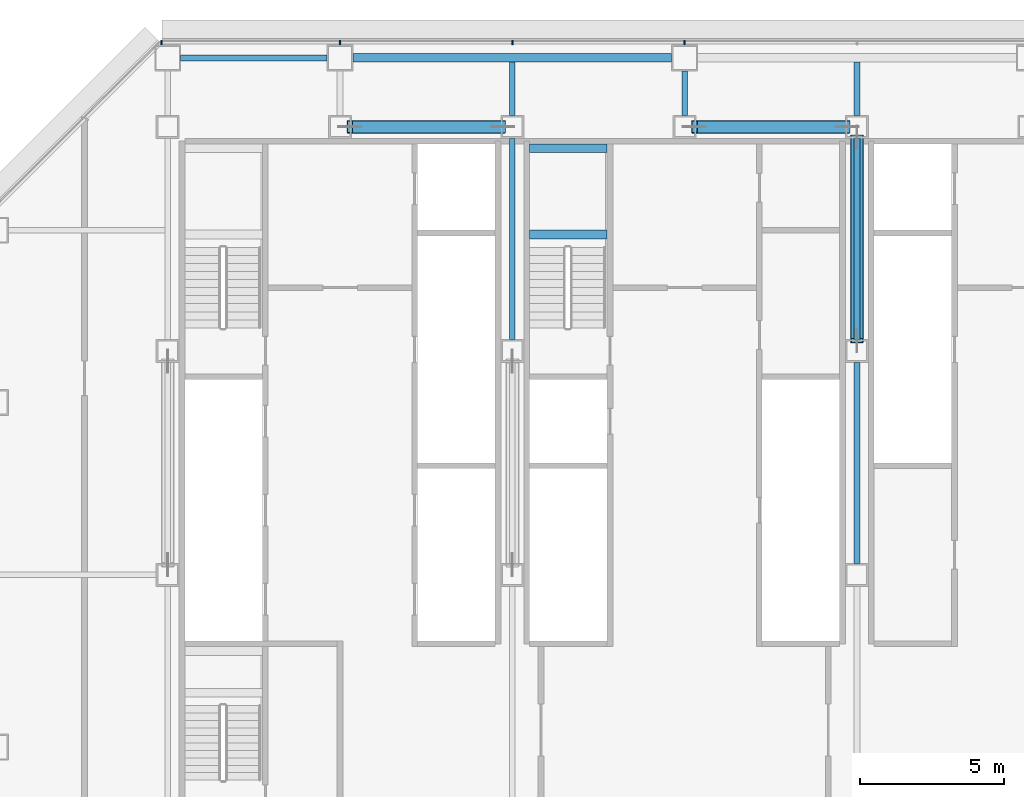
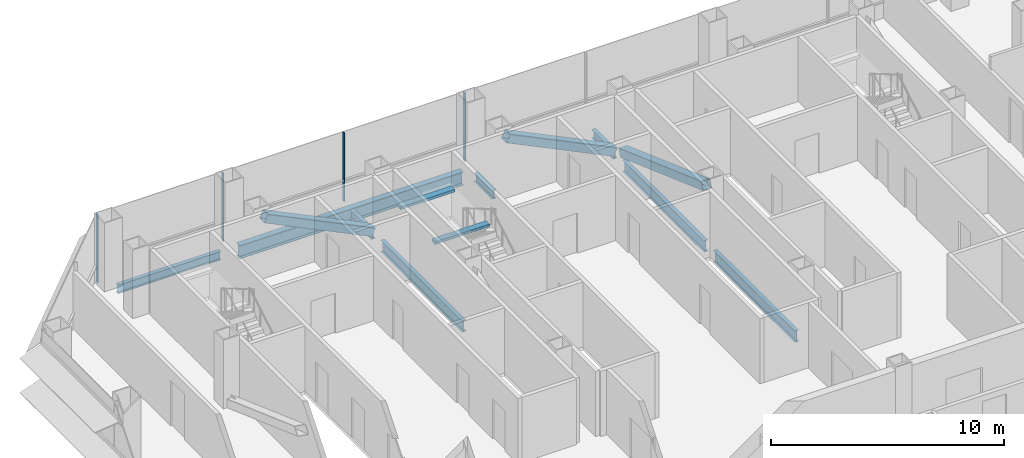
# One storey, part 12 of 27: 10 beams, 7 members, 1 element without a shape of its own.
"""IFC4 building model written with IfcOpenShell, lengths in metres."""

from ifc_helpers import new_model, si_unit, direction, frame, origin, origin_2d, place, context, subcontext, project, spatial, rectangle, hollow_rectangle, i_section, extrude, material, material_profile, profile_set, type_object, element, aggregate, save


model = new_model("IFC4")

# Units and contexts
model_context = context("Model", 3, precision=1e-05, world=origin(), true_north=direction((0.0, 1.0)))
body_context = subcontext(model_context, "Body", "Model", "MODEL_VIEW")
ifc_project = project(units=[si_unit("LENGTHUNIT", "METRE"), si_unit("AREAUNIT", "SQUARE_METRE"), si_unit("VOLUMEUNIT", "CUBIC_METRE"), si_unit("PLANEANGLEUNIT", "RADIAN"), si_unit("MASSUNIT", "GRAM", prefix="KILO")], contexts=[model_context])

# Site, building, storey
site_placement = place(None, origin())
site = spatial("IfcSite", under=ifc_project, at=site_placement, CompositionType="ELEMENT")
building_placement = place(site_placement, origin())
building = spatial("IfcBuilding", under=site, at=building_placement, Name="Sorahane Residences", CompositionType="ELEMENT")
storey_placement = place(building_placement, frame((0.0, 0.0, 53.39990234375)))
storey = spatial("IfcBuildingStorey", under=building, at=storey_placement, Name="L09", CompositionType="ELEMENT", Elevation=53.39990234375)

# Members
ifc_material_1 = material(Name="Steel Q355B", Category="steel")
ifc_material_profile_1 = material_profile(ifc_material_1, hollow_rectangle(XDim=0.449951171875, YDim=0.449951171875, WallThickness=0.02197265625, InnerFilletRadius=0.010986328125, OuterFilletRadius=0.032958984375, at=origin_2d()), Name="RHS 450x450x22")
ifc_profile_set_1 = profile_set([ifc_material_profile_1], Name="Steel Q355B")
member_type_1 = type_object("IfcMemberType", Name="Core brace RHS 450x450x22 Q355B", PredefinedType="BRACE", material=ifc_profile_set_1)
for number, where, z_axis, x_axis, name in (
    (1, (17.658935546875, 45.60009765625, 0.196533203125), (-0.899894691922, 0.0, 0.436107261405), (0.0, -1.0, 0.0), "Core brace L09 y45.6-2"),
    (2, (29.658935546875, 45.60009765625, 0.196533203125), (-0.899894691922, 0.0, 0.436107261405), (0.0, -1.0, 0.0), "Core brace L09 y45.6-4"),
):
    element("IfcMember", number, at=place(storey_placement, frame(where, z_axis=z_axis, x_axis=x_axis)), inside=storey, type_object=member_type_1, Name=name, PredefinedType="BRACE", context=body_context, shape_type="SweptSolid", body=[
        extrude(hollow_rectangle(XDim=0.449951171875, YDim=0.449951171875, WallThickness=0.02197265625, InnerFilletRadius=0.010986328125, OuterFilletRadius=0.032958984375, at=origin_2d()), origin(), (0.0, 0.0, 1.0), 5.909423828125),
    ])
member_1_placement = place(storey_placement, frame((30.0, 45.24560546875, 0.208740234375), z_axis=(0.0, -0.940893192956, 0.338703409266), x_axis=(1.0, 0.0, 0.0)))
element("IfcMember", 3, at=member_1_placement, inside=storey, type_object=member_type_1, Name="Core brace L09 x30-2", PredefinedType="BRACE", context=body_context, shape_type="SweptSolid", body=[
    extrude(hollow_rectangle(XDim=0.449951171875, YDim=0.449951171875, WallThickness=0.02197265625, InnerFilletRadius=0.010986328125, OuterFilletRadius=0.032958984375, at=origin_2d()), origin(), (0.0, 0.0, 1.0), 7.536865234375),
])

# Curtain wall, members
ifc_material_2 = material(Name="Dark low-e glass and black anodised aluminium", Category="aluminium")
curtain_wall_type = type_object("IfcCurtainWallType", Name="Curtain wall CW-1 Typical unitised wall", PredefinedType="NOTDEFINED", material=ifc_material_2)
curtain_wall_placement = place(storey_placement, origin())
curtain_wall = element("IfcCurtainWall", 4, at=curtain_wall_placement, inside=storey, type_object=curtain_wall_type, Name="CW-1 curtain wall L09 N1", PredefinedType="NOTDEFINED")
ifc_material_3 = material(Name="Black anodised aluminium", Category="aluminium")
ifc_material_profile_2 = material_profile(ifc_material_3, rectangle(XDim=0.159912109375, YDim=0.050048828125, at=origin_2d()), Name="Curtain wall mullion CW-1 black anodised aluminium 50x160")
ifc_profile_set_2 = profile_set([ifc_material_profile_2], Name="Black anodised aluminium")
member_type_2 = type_object("IfcMemberType", Name="Curtain wall mullion CW-1 black anodised aluminium 50x160", PredefinedType="MULLION", material=ifc_profile_set_2)
member_2_placement = place(storey_placement, frame((24.0, 48.5400390625, -0.179931640625), z_axis=(0.0, 0.0, 1.0), x_axis=(0.0, 1.0, 0.0)))
member_2 = element("IfcMember", 5, at=member_2_placement, type_object=member_type_2, Name="CW-1 mullion L09 N1.7", PredefinedType="MULLION", context=body_context, shape_type="SweptSolid", body=[
    extrude(rectangle(XDim=0.159912109375, YDim=0.050048828125, at=origin_2d()), origin(), (0.0, 0.0, 1.0), 3.60009765625),
])
member_3_placement = place(storey_placement, frame((18.0, 48.5400390625, -0.179931640625), z_axis=(0.0, 0.0, 1.0), x_axis=(0.0, 1.0, 0.0)))
member_3 = element("IfcMember", 6, at=member_3_placement, type_object=member_type_2, Name="CW-1 mullion L09 N1.8", PredefinedType="MULLION", context=body_context, shape_type="SweptSolid", body=[
    extrude(rectangle(XDim=0.159912109375, YDim=0.050048828125, at=origin_2d()), origin(), (0.0, 0.0, 1.0), 3.60009765625),
])
member_4_placement = place(storey_placement, frame((12.0, 48.5400390625, -0.179931640625), z_axis=(0.0, 0.0, 1.0), x_axis=(0.0, 1.0, 0.0)))
member_4 = element("IfcMember", 7, at=member_4_placement, type_object=member_type_2, Name="CW-1 mullion L09 N1.9", PredefinedType="MULLION", context=body_context, shape_type="SweptSolid", body=[
    extrude(rectangle(XDim=0.159912109375, YDim=0.050048828125, at=origin_2d()), origin(), (0.0, 0.0, 1.0), 3.60009765625),
])
member_5_placement = place(storey_placement, frame((5.7763671875, 48.5400390625, -0.179931640625), z_axis=(0.0, 0.0, 1.0), x_axis=(0.0, 1.0, 0.0)))
member_5 = element("IfcMember", 8, at=member_5_placement, type_object=member_type_2, Name="CW-1 mullion L09 N1.10", PredefinedType="MULLION", context=body_context, shape_type="SweptSolid", body=[
    extrude(rectangle(XDim=0.159912109375, YDim=0.050048828125, at=origin_2d()), origin(), (0.0, 0.0, 1.0), 3.60009765625),
])
aggregate(curtain_wall, [member_2, member_3, member_4, member_5])

# Beams
ifc_material_4 = material(Name="Concrete C40", Category="concrete")
ifc_material_profile_3 = material_profile(ifc_material_4, rectangle(XDim=0.300048828125, YDim=0.139892578125, at=origin_2d()), Name="300x140")
ifc_profile_set_3 = profile_set([ifc_material_profile_3], Name="Concrete C40")
beam_type_1 = type_object("IfcBeamType", Name="RC landing beam 300 x 140 Concrete C40", PredefinedType="BEAM", material=ifc_profile_set_3)
for number, where, z_axis, x_axis, name in (
    (9, (18.60009765625, 41.85009765625, 1.530029296875), (1.0, 0.0, 0.0), (0.0, 1.0, 0.0), "Landing beam"),
    (10, (18.60009765625, 44.85009765625, 1.530029296875), (1.0, 0.0, 0.0), (0.0, 1.0, 0.0), "Landing beam"),
):
    element("IfcBeam", number, at=place(storey_placement, frame(where, z_axis=z_axis, x_axis=x_axis)), inside=storey, type_object=beam_type_1, Name=name, PredefinedType="BEAM", context=body_context, shape_type="SweptSolid", body=[
        extrude(rectangle(XDim=0.300048828125, YDim=0.139892578125, at=origin_2d()), origin(), (0.0, 0.0, 1.0), 2.699951171875),
    ])
ifc_material_5 = material(Name="Steel Q355B", Category="steel")
ifc_material_profile_4 = material_profile(ifc_material_5, i_section(OverallWidth=0.199951171875, OverallDepth=0.449951171875, WebThickness=0.009033203125, FlangeThickness=0.013916015625, FilletRadius=0.02001953125, at=origin_2d()), Name="HN 450x200x9x14")
ifc_profile_set_4 = profile_set([ifc_material_profile_4], Name="Steel Q355B")
beam_type_2 = type_object("IfcBeamType", Name="Steel floor beam HN 450x200x9x14 Q355B", PredefinedType="BEAM", material=ifc_profile_set_4)
beam_1_placement = place(storey_placement, frame((6.449951171875, 48.0, -0.40478515625), z_axis=(1.0, 0.0, 0.0), x_axis=(0.0, 1.0, 0.0)))
element("IfcBeam", 11, at=beam_1_placement, inside=storey, type_object=beam_type_2, Name="Beam L09 012", PredefinedType="BEAM", context=body_context, shape_type="SweptSolid", body=[
    extrude(i_section(OverallWidth=0.199951171875, OverallDepth=0.449951171875, WebThickness=0.009033203125, FlangeThickness=0.013916015625, FilletRadius=0.02001953125, at=origin_2d()), origin(), (0.0, 0.0, 1.0), 5.10009765625),
])
beam_2_placement = place(storey_placement, frame((18.0, 46.0, -0.40478515625), z_axis=(0.0, 1.0, 0.0), x_axis=(-1.0, 0.0, 0.0)))
element("IfcBeam", 12, at=beam_2_placement, inside=storey, type_object=beam_type_2, Name="Beam L09 034", PredefinedType="BEAM", context=body_context, shape_type="SweptSolid", body=[
    extrude(i_section(OverallWidth=0.199951171875, OverallDepth=0.449951171875, WebThickness=0.009033203125, FlangeThickness=0.013916015625, FilletRadius=0.02001953125, at=origin_2d()), origin(), (0.0, 0.0, 1.0), 1.85009765625),
])
beam_3_placement = place(storey_placement, frame((24.0, 46.0, -0.40478515625), z_axis=(0.0, 1.0, 0.0), x_axis=(-1.0, 0.0, 0.0)))
element("IfcBeam", 13, at=beam_3_placement, inside=storey, type_object=beam_type_2, Name="Beam L09 036", PredefinedType="BEAM", context=body_context, shape_type="SweptSolid", body=[
    extrude(i_section(OverallWidth=0.199951171875, OverallDepth=0.449951171875, WebThickness=0.009033203125, FlangeThickness=0.013916015625, FilletRadius=0.02001953125, at=origin_2d()), origin(), (0.0, 0.0, 1.0), 1.550048828125),
])
beam_4_placement = place(storey_placement, frame((30.0, 46.0, -0.40478515625), z_axis=(0.0, 1.0, 0.0), x_axis=(-1.0, 0.0, 0.0)))
element("IfcBeam", 14, at=beam_4_placement, inside=storey, type_object=beam_type_2, Name="Beam L09 042", PredefinedType="BEAM", context=body_context, shape_type="SweptSolid", body=[
    extrude(i_section(OverallWidth=0.199951171875, OverallDepth=0.449951171875, WebThickness=0.009033203125, FlangeThickness=0.013916015625, FilletRadius=0.02001953125, at=origin_2d()), origin(), (0.0, 0.0, 1.0), 1.85009765625),
])
ifc_material_6 = material(Name="Steel Q355B", Category="steel")
ifc_material_profile_5 = material_profile(ifc_material_6, i_section(OverallWidth=0.199951171875, OverallDepth=0.60009765625, WebThickness=0.010986328125, FlangeThickness=0.01708984375, FilletRadius=0.02392578125, at=origin_2d()), Name="HN 600x200x11x17")
ifc_profile_set_5 = profile_set([ifc_material_profile_5], Name="Steel Q355B")
beam_type_3 = type_object("IfcBeamType", Name="Steel floor beam HN 600x200x11x17 Q355B", PredefinedType="BEAM", material=ifc_profile_set_5)
for number, where, z_axis, x_axis, name in (
    (15, (18.0, 38.199951171875, -0.47998046875), (0.0, 1.0, 0.0), (-1.0, 0.0, 0.0), "Beam L09 033"),
    (16, (30.0, 30.39990234375, -0.47998046875), (0.0, 1.0, 0.0), (-1.0, 0.0, 0.0), "Beam L09 040"),
    (17, (30.0, 38.199951171875, -0.47998046875), (0.0, 1.0, 0.0), (-1.0, 0.0, 0.0), "Beam L09 041"),
):
    element("IfcBeam", number, at=place(storey_placement, frame(where, z_axis=z_axis, x_axis=x_axis)), inside=storey, type_object=beam_type_3, Name=name, PredefinedType="BEAM", context=body_context, shape_type="SweptSolid", body=[
        extrude(i_section(OverallWidth=0.199951171875, OverallDepth=0.60009765625, WebThickness=0.010986328125, FlangeThickness=0.01708984375, FilletRadius=0.02392578125, at=origin_2d()), origin(), (0.0, 0.0, 1.0), 7.0),
    ])
ifc_material_7 = material(Name="Steel Q355B", Category="steel")
ifc_material_profile_6 = material_profile(ifc_material_7, i_section(OverallWidth=0.300048828125, OverallDepth=0.699951171875, WebThickness=0.012939453125, FlangeThickness=0.02392578125, FilletRadius=0.028076171875, at=origin_2d()), Name="HN 700x300x13x24")
ifc_profile_set_6 = profile_set([ifc_material_profile_6], Name="Steel Q355B")
beam_type_4 = type_object("IfcBeamType", Name="Steel floor beam HN 700x300x13x24 Q355B", PredefinedType="BEAM", material=ifc_profile_set_6)
beam_5_placement = place(storey_placement, frame((12.449951171875, 48.0, -0.52978515625), z_axis=(1.0, 0.0, 0.0), x_axis=(0.0, 1.0, 0.0)))
element("IfcBeam", 18, at=beam_5_placement, inside=storey, type_object=beam_type_4, Name="Beam L09 013", PredefinedType="BEAM", context=body_context, shape_type="SweptSolid", body=[
    extrude(i_section(OverallWidth=0.300048828125, OverallDepth=0.699951171875, WebThickness=0.012939453125, FlangeThickness=0.02392578125, FilletRadius=0.028076171875, at=origin_2d()), origin(), (0.0, 0.0, 1.0), 11.10009765625),
])

save(model, "model.ifc")
